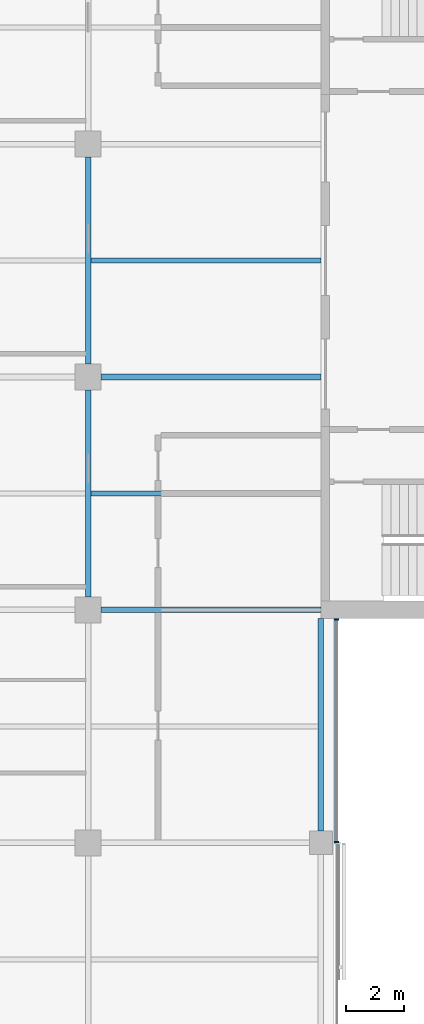
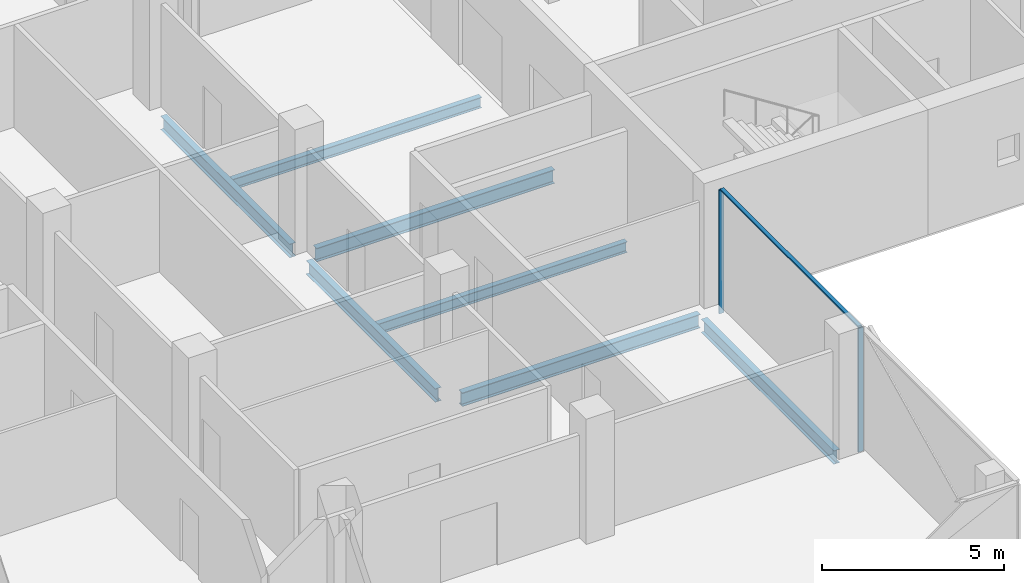
# One storey, part 4 of 16: 7 beams, 3 members, 1 element without a shape of its own.
"""IFC4 building model written with IfcOpenShell, lengths in metres."""

from ifc_helpers import new_model, si_unit, direction, frame, origin, origin_2d, place, context, subcontext, project, spatial, rectangle, i_section, extrude, material, material_profile, profile_set, type_object, element, aggregate, save


model = new_model("IFC4")

# Units and contexts
model_context = context("Model", 3, precision=1e-05, world=origin(), true_north=direction((0.0, 1.0)))
body_context = subcontext(model_context, "Body", "Model", "MODEL_VIEW")
ifc_project = project(units=[si_unit("LENGTHUNIT", "METRE"), si_unit("AREAUNIT", "SQUARE_METRE"), si_unit("VOLUMEUNIT", "CUBIC_METRE"), si_unit("PLANEANGLEUNIT", "RADIAN"), si_unit("MASSUNIT", "GRAM", prefix="KILO")], contexts=[model_context])

# Site, building, storey
site_placement = place(None, origin())
site = spatial("IfcSite", under=ifc_project, at=site_placement, CompositionType="ELEMENT")
building_placement = place(site_placement, origin())
building = spatial("IfcBuilding", under=site, at=building_placement, Name="Crosswind Convention Tower", CompositionType="ELEMENT")
storey_placement = place(building_placement, frame((0.0, 0.0, 216.699951171875)))
storey = spatial("IfcBuildingStorey", under=building, at=storey_placement, Name="L46", CompositionType="ELEMENT", Elevation=216.699951171875)

# Beams
ifc_material_1 = material(Name="Steel S355", Category="steel")
ifc_material_profile_1 = material_profile(ifc_material_1, i_section(OverallWidth=0.18994140625, OverallDepth=0.45361328125, WebThickness=0.008544921875, FlangeThickness=0.0126953125, FilletRadius=0.01025390625, at=origin_2d()), Name="UB 457x191x67")
ifc_profile_set_1 = profile_set([ifc_material_profile_1], Name="Steel S355")
beam_type_1 = type_object("IfcBeamType", Name="Edge beam UB 457x191x67", PredefinedType="SPANDREL", material=ifc_profile_set_1)
beam_placement = place(storey_placement, frame((137.0, 80.39990234375, -0.52685546875), z_axis=(0.0, 1.0, 0.0), x_axis=(-1.0, 0.0, 0.0)))
element("IfcBeam", 1, at=beam_placement, inside=storey, type_object=beam_type_1, Name="B16 L46 edge beam 12", PredefinedType="SPANDREL", context=body_context, shape_type="SweptSolid", body=[
    extrude(i_section(OverallWidth=0.18994140625, OverallDepth=0.45361328125, WebThickness=0.008544921875, FlangeThickness=0.0126953125, FilletRadius=0.01025390625, at=origin_2d()), origin(), (0.0, 0.0, 1.0), 7.300048828125),
])
ifc_material_profile_2 = material_profile(ifc_material_1, i_section(OverallWidth=0.1904296875, OverallDepth=0.457275390625, WebThickness=0.009033203125, FlangeThickness=0.014404296875, FilletRadius=0.01025390625, at=origin_2d()), Name="UB 457x191x75")
ifc_profile_set_2 = profile_set([ifc_material_profile_2], Name="Steel S355")
beam_type_2 = type_object("IfcBeamType", Name="Girder UB 457x191x75", PredefinedType="BEAM", material=ifc_profile_set_2)
for number, where, z_axis, x_axis, name in (
    (2, (129.0, 88.449951171875, -0.528564453125), (0.0, 1.0, 0.0), (-1.0, 0.0, 0.0), "B2 L46 girder 18"),
    (3, (129.0, 96.449951171875, -0.528564453125), (0.0, 1.0, 0.0), (-1.0, 0.0, 0.0), "B2 L46 girder 19"),
):
    element("IfcBeam", number, at=place(storey_placement, frame(where, z_axis=z_axis, x_axis=x_axis)), inside=storey, type_object=beam_type_2, Name=name, PredefinedType="BEAM", context=body_context, shape_type="SweptSolid", body=[
        extrude(i_section(OverallWidth=0.1904296875, OverallDepth=0.457275390625, WebThickness=0.009033203125, FlangeThickness=0.014404296875, FilletRadius=0.01025390625, at=origin_2d()), origin(), (0.0, 0.0, 1.0), 7.10009765625),
    ])
ifc_material_profile_3 = material_profile(ifc_material_1, i_section(OverallWidth=0.19140625, OverallDepth=0.460205078125, WebThickness=0.010009765625, FlangeThickness=0.01611328125, FilletRadius=0.01025390625, at=origin_2d()), Name="UB 457x191x82")
ifc_profile_set_3 = profile_set([ifc_material_profile_3], Name="Steel S355")
beam_type_3 = type_object("IfcBeamType", Name="Girder at core wall UB 457x191x82", PredefinedType="BEAM", material=ifc_profile_set_3)
for number, where, z_axis, x_axis, name in (
    (4, (129.449951171875, 88.0, -0.530029296875), (1.0, 0.0, 0.0), (0.0, 1.0, 0.0), "B23 L46 girder at core wall 5"),
    (5, (129.449951171875, 96.0, -0.530029296875), (1.0, 0.0, 0.0), (0.0, 1.0, 0.0), "B23 L46 girder at core wall 6"),
):
    element("IfcBeam", number, at=place(storey_placement, frame(where, z_axis=z_axis, x_axis=x_axis)), inside=storey, type_object=beam_type_3, Name=name, PredefinedType="BEAM", context=body_context, shape_type="SweptSolid", body=[
        extrude(i_section(OverallWidth=0.19140625, OverallDepth=0.460205078125, WebThickness=0.010009765625, FlangeThickness=0.01611328125, FilletRadius=0.01025390625, at=origin_2d()), origin(), (0.0, 0.0, 1.0), 7.550048828125),
    ])

# Curtain wall, members
ifc_material_2 = material(Name="Aluminium unitised curtain wall", Category="aluminium")
curtain_wall_type = type_object("IfcCurtainWallType", Name="CORE END SLOT WALL 160", PredefinedType="USERDEFINED", material=ifc_material_2)
curtain_wall_placement = place(storey_placement, origin())
curtain_wall = element("IfcCurtainWall", 6, at=curtain_wall_placement, inside=storey, type_object=curtain_wall_type, Name="CW6 L46 S-E.1-2 slot", ObjectType="UNITISED", PredefinedType="USERDEFINED")
ifc_material_3 = material(Name="Aluminium mullion", Category="aluminium")
ifc_material_profile_4 = material_profile(ifc_material_3, rectangle(XDim=0.159912109375, YDim=0.050048828125, at=origin_2d()), Name="AL 160X50")
ifc_profile_set_4 = profile_set([ifc_material_profile_4], Name="Aluminium mullion")
member_type_1 = type_object("IfcMemberType", Name="MULLION 50X160", PredefinedType="MULLION", material=ifc_profile_set_4)
member_1_placement = place(storey_placement, frame((137.530029296875, 80.02490234375, -0.300048828125), z_axis=(0.0, 0.0, 1.0), x_axis=(1.0, 0.0, 0.0)))
member_1 = element("IfcMember", 7, at=member_1_placement, type_object=member_type_1, Name="CW6 mullion 1", PredefinedType="MULLION", context=body_context, shape_type="SweptSolid", body=[
    extrude(rectangle(XDim=0.159912109375, YDim=0.050048828125, at=origin_2d()), origin(), (0.0, 0.0, 1.0), 4.150146484375),
])
member_2_placement = place(storey_placement, frame((137.530029296875, 87.675048828125, -0.300048828125), z_axis=(0.0, 0.0, 1.0), x_axis=(1.0, 0.0, 0.0)))
member_2 = element("IfcMember", 8, at=member_2_placement, type_object=member_type_1, Name="CW6 mullion 2", PredefinedType="MULLION", context=body_context, shape_type="SweptSolid", body=[
    extrude(rectangle(XDim=0.159912109375, YDim=0.050048828125, at=origin_2d()), origin(), (0.0, 0.0, 1.0), 4.150146484375),
])

# Beams
ifc_material_profile_5 = material_profile(ifc_material_1, i_section(OverallWidth=0.172119140625, OverallDepth=0.358642578125, WebThickness=0.008056640625, FlangeThickness=0.012939453125, FilletRadius=0.01025390625, at=origin_2d()), Name="UB 356x171x57")
ifc_profile_set_5 = profile_set([ifc_material_profile_5], Name="Steel S355")
beam_type_4 = type_object("IfcBeamType", Name="Secondary beam UB 356x171x57", PredefinedType="JOIST", material=ifc_profile_set_5)
for number, where, z_axis, x_axis, name in (
    (9, (129.09521484375, 92.0, -0.479248046875), (1.0, 0.0, 0.0), (0.0, 1.0, 0.0), "B9 L46 secondary beam 17"),
    (10, (129.09521484375, 100.0, -0.479248046875), (1.0, 0.0, 0.0), (0.0, 1.0, 0.0), "B9 L46 secondary beam 18"),
):
    element("IfcBeam", number, at=place(storey_placement, frame(where, z_axis=z_axis, x_axis=x_axis)), inside=storey, type_object=beam_type_4, Name=name, PredefinedType="JOIST", context=body_context, shape_type="SweptSolid", body=[
        extrude(i_section(OverallWidth=0.172119140625, OverallDepth=0.358642578125, WebThickness=0.008056640625, FlangeThickness=0.012939453125, FilletRadius=0.01025390625, at=origin_2d()), origin(), (0.0, 0.0, 1.0), 7.90478515625),
    ])

# Member
ifc_material_4 = material(Name="Aluminium transom", Category="aluminium")
ifc_material_profile_6 = material_profile(ifc_material_4, rectangle(XDim=0.1201171875, YDim=0.050048828125, at=origin_2d()), Name="AL 120X50")
ifc_profile_set_6 = profile_set([ifc_material_profile_6], Name="Aluminium transom")
member_type_2 = type_object("IfcMemberType", Name="TRANSOM 50X120", PredefinedType="USERDEFINED", material=ifc_profile_set_6)
member_3_placement = place(storey_placement, frame((137.530029296875, 80.050048828125, 3.875), z_axis=(0.0, 1.0, 0.0), x_axis=(-1.0, 0.0, 0.0)))
member_3 = element("IfcMember", 11, at=member_3_placement, type_object=member_type_2, Name="CW6 transom", ObjectType="TRANSOM", PredefinedType="USERDEFINED", context=body_context, shape_type="SweptSolid", body=[
    extrude(rectangle(XDim=0.1201171875, YDim=0.050048828125, at=origin_2d()), origin(), (0.0, 0.0, 1.0), 7.599853515625),
])

aggregate(curtain_wall, [member_1, member_2, member_3])

save(model, "model.ifc")
